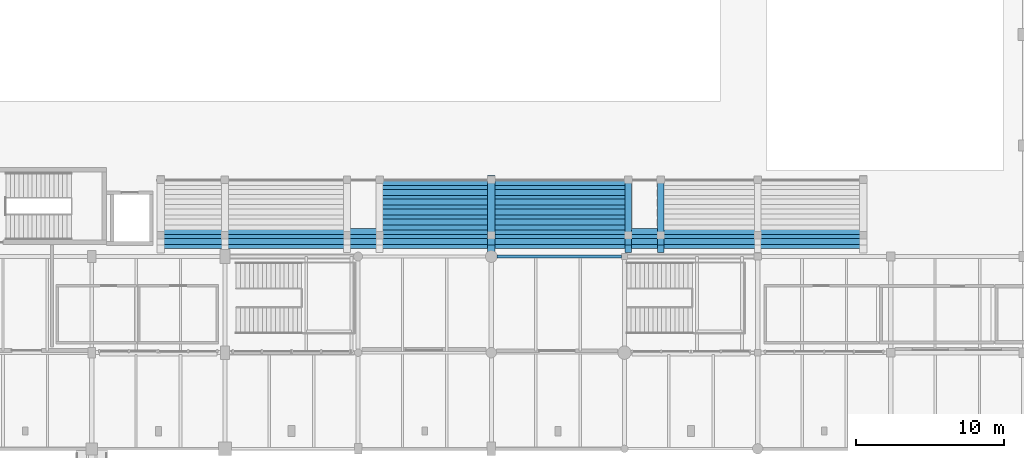
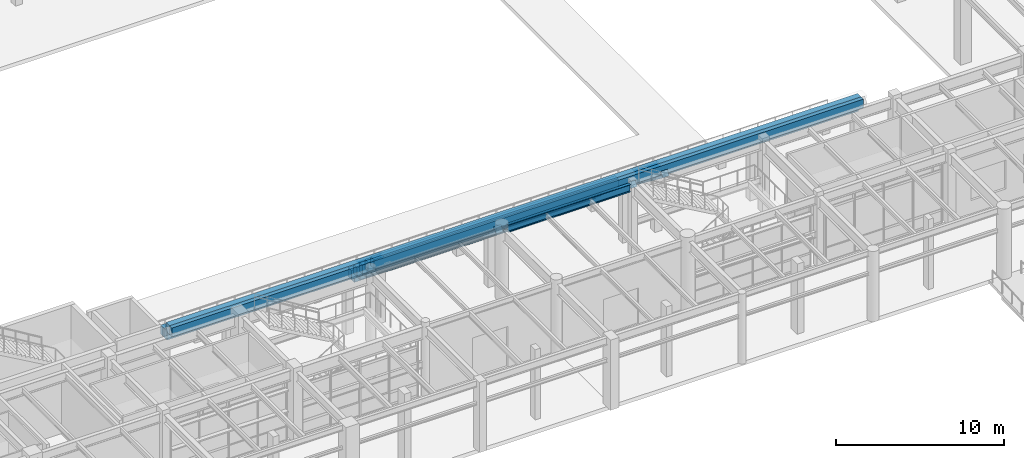
# One storey, part 54 of 203: 18 beams.
"""IFC4 building model written with IfcOpenShell, lengths in metres."""

from ifc_helpers import new_model, si_unit, direction, frame, origin, origin_2d, place, context, subcontext, project, spatial, rectangle, i_section, extrude, material, material_profile, profile_set, type_object, element, save


model = new_model("IFC4")

# Units and contexts
model_context = context("Model", 3, precision=1e-05, world=origin(), true_north=direction((0.0, 1.0)))
body_context = subcontext(model_context, "Body", "Model", "MODEL_VIEW")
ifc_project = project(units=[si_unit("LENGTHUNIT", "METRE"), si_unit("AREAUNIT", "SQUARE_METRE"), si_unit("VOLUMEUNIT", "CUBIC_METRE"), si_unit("PLANEANGLEUNIT", "RADIAN"), si_unit("MASSUNIT", "GRAM", prefix="KILO"), si_unit("THERMODYNAMICTEMPERATUREUNIT", "KELVIN"), si_unit("POWERUNIT", "WATT")], contexts=[model_context])

# Site, building, storey
site_placement = place(None, origin())
site = spatial("IfcSite", under=ifc_project, at=site_placement, CompositionType="ELEMENT")
building_placement = place(site_placement, origin())
building = spatial("IfcBuilding", under=site, at=building_placement, Name="Tepalcoro Natatorium and Aquatics Centre", CompositionType="ELEMENT")
storey_placement = place(building_placement, origin())
storey = spatial("IfcBuildingStorey", under=building, at=storey_placement, Name="L00", CompositionType="ELEMENT", Elevation=0.0)

# Beams
ifc_material_1 = material(Name="Concrete C40/50 (fc 40 MPa)", Category="concrete")
ifc_material_profile_1 = material_profile(ifc_material_1, rectangle(XDim=0.39990234375, YDim=0.64990234375, at=origin_2d()), Name="RCB400x650")
ifc_profile_set_1 = profile_set([ifc_material_profile_1], Name="Concrete C40/50 (fc 40 MPa)")
beam_type_1 = type_object("IfcBeamType", Name="BM_RC_400x650", PredefinedType="BEAM", material=ifc_profile_set_1)
for number, where, z_axis, x_axis, name in (
    (1, (81.449951171875, 17.65576171875, 1.300048828125), (1.0, 0.0, 0.0), (0.0, 1.0, 0.0), "Spectator Tier Stringer Beam S-1C-F"),
    (2, (81.449951171875, 18.0, 1.300048828125), (1.0, 0.0, 0.0), (0.0, 1.0, 0.0), "Spectator Tier Stringer Beam S-1C-B"),
    (3, (81.449951171875, 16.991455078125, 1.89990234375), (1.0, 0.0, 0.0), (0.0, 1.0, 0.0), "Spectator Tier Stringer Beam S-2C-F"),
    (4, (81.449951171875, 17.335693359375, 1.89990234375), (1.0, 0.0, 0.0), (0.0, 1.0, 0.0), "Spectator Tier Stringer Beam S-2C-B"),
    (5, (81.449951171875, 16.3271484375, 2.5), (1.0, 0.0, 0.0), (0.0, 1.0, 0.0), "Spectator Tier Stringer Beam S-3C-F"),
    (6, (81.449951171875, 16.67138671875, 2.5), (1.0, 0.0, 0.0), (0.0, 1.0, 0.0), "Spectator Tier Stringer Beam S-3C-B"),
    (7, (81.449951171875, 15.662841796875, 3.10009765625), (1.0, 0.0, 0.0), (0.0, 1.0, 0.0), "Spectator Tier Stringer Beam S-4C-F"),
    (8, (81.449951171875, 16.007080078125, 3.10009765625), (1.0, 0.0, 0.0), (0.0, 1.0, 0.0), "Spectator Tier Stringer Beam S-4C-B"),
    (9, (81.449951171875, 14.99853515625, 3.699951171875), (1.0, 0.0, 0.0), (0.0, 1.0, 0.0), "Spectator Tier Stringer Beam S-5C-F"),
    (10, (81.449951171875, 15.3427734375, 3.699951171875), (1.0, 0.0, 0.0), (0.0, 1.0, 0.0), "Spectator Tier Stringer Beam S-5C-B"),
):
    element("IfcBeam", number, at=place(storey_placement, frame(where, z_axis=z_axis, x_axis=x_axis)), inside=storey, type_object=beam_type_1, Name=name, PredefinedType="BEAM", context=body_context, shape_type="SweptSolid", body=[
        extrude(rectangle(XDim=0.39990234375, YDim=0.64990234375, at=origin_2d()), origin(), (0.0, 0.0, 1.0), 16.800048828125),
    ])
for number, where, z_axis, x_axis, name in (
    (11, (66.64990234375, 14.334228515625, 4.300048828125), (1.0, 0.0, 0.0), (0.0, 1.0, 0.0), "Spectator Tier Stringer Beam S-6F"),
    (12, (66.64990234375, 14.678466796875, 4.300048828125), (1.0, 0.0, 0.0), (0.0, 1.0, 0.0), "Spectator Tier Stringer Beam S-6B"),
    (13, (66.64990234375, 13.72998046875, 4.89990234375), (1.0, 0.0, 0.0), (0.0, 1.0, 0.0), "Spectator Tier Stringer Beam S-7F"),
    (14, (66.64990234375, 14.014404296875, 4.89990234375), (1.0, 0.0, 0.0), (0.0, 1.0, 0.0), "Spectator Tier Stringer Beam S-7B"),
):
    element("IfcBeam", number, at=place(storey_placement, frame(where, z_axis=z_axis, x_axis=x_axis)), inside=storey, type_object=beam_type_1, Name=name, PredefinedType="BEAM", context=body_context, shape_type="SweptSolid", body=[
        extrude(rectangle(XDim=0.39990234375, YDim=0.64990234375, at=origin_2d()), origin(), (0.0, 0.0, 1.0), 47.5),
    ])
ifc_material_2 = material(Name="Steel ASTM A992 Grade 50 (Fy 345 MPa)", Category="steel")
ifc_material_profile_2 = material_profile(ifc_material_2, i_section(OverallWidth=0.2119140625, OverallDepth=0.5439453125, WebThickness=0.012939453125, FlangeThickness=0.02099609375, FilletRadius=0.013916015625, at=origin_2d()), Name="W21X83")
ifc_profile_set_2 = profile_set([ifc_material_profile_2], Name="Steel ASTM A992 Grade 50 (Fy 345 MPa)")
beam_type_2 = type_object("IfcBeamType", Name="BM_W21x83", PredefinedType="BEAM", material=ifc_profile_set_2)
beam_1_placement = place(storey_placement, frame((89.385009765625, 13.0, 4.85302734375), z_axis=(1.0, 0.0, 0.0), x_axis=(0.0, 1.0, 0.0)))
element("IfcBeam", 15, at=beam_1_placement, inside=storey, type_object=beam_type_2, Name="V1 L00 Grid Girder X", PredefinedType="BEAM", context=body_context, shape_type="SweptSolid", body=[
    extrude(i_section(OverallWidth=0.2119140625, OverallDepth=0.5439453125, WebThickness=0.012939453125, FlangeThickness=0.02099609375, FilletRadius=0.013916015625, at=origin_2d()), origin(), (0.0, 0.0, 1.0), 8.429931640625),
])
ifc_material_profile_3 = material_profile(ifc_material_1, rectangle(XDim=0.449951171875, YDim=0.800048828125, at=origin_2d()), Name="RKR450x800")
ifc_profile_set_3 = profile_set([ifc_material_profile_3], Name="Concrete C40/50 (fc 40 MPa)")
beam_type_3 = type_object("IfcBeamType", Name="RK_RC_450x800", PredefinedType="USERDEFINED", material=ifc_profile_set_3)
for number, where, z_axis, x_axis, name in (
    (16, (98.25, 18.199951171875, 1.25), (0.0, -0.793431117483, 0.608660054389), (1.0, 0.0, 0.0), "Spectator Bowl Raker Beam S-6"),
    (17, (100.449951171875, 18.199951171875, 1.25), (0.0, -0.793431117483, 0.608660054389), (1.0, 0.0, 0.0), "Spectator Bowl Raker Beam S-7"),
):
    element("IfcBeam", number, at=place(storey_placement, frame(where, z_axis=z_axis, x_axis=x_axis)), inside=storey, type_object=beam_type_3, Name=name, ObjectType="RAKER", PredefinedType="USERDEFINED", context=body_context, shape_type="SweptSolid", body=[
        extrude(rectangle(XDim=0.449951171875, YDim=0.800048828125, at=origin_2d()), origin(), (0.0, 0.0, 1.0), 5.8984375),
    ])
ifc_material_profile_4 = material_profile(ifc_material_1, rectangle(XDim=0.5, YDim=0.89990234375, at=origin_2d()), Name="RKR500x900")
ifc_profile_set_4 = profile_set([ifc_material_profile_4], Name="Concrete C40/50 (fc 40 MPa)")
beam_type_4 = type_object("IfcBeamType", Name="RK_RC_500x900", PredefinedType="USERDEFINED", material=ifc_profile_set_4)
beam_2_placement = place(storey_placement, frame((89.0, 18.199951171875, 1.25), z_axis=(0.0, -0.793431117483, 0.608660054389), x_axis=(1.0, 0.0, 0.0)))
element("IfcBeam", 18, at=beam_2_placement, inside=storey, type_object=beam_type_4, Name="Spectator Bowl Raker Beam S-5", ObjectType="RAKER", PredefinedType="USERDEFINED", context=body_context, shape_type="SweptSolid", body=[
    extrude(rectangle(XDim=0.5, YDim=0.89990234375, at=origin_2d()), origin(), (0.0, 0.0, 1.0), 5.8984375),
])

save(model, "model.ifc")
